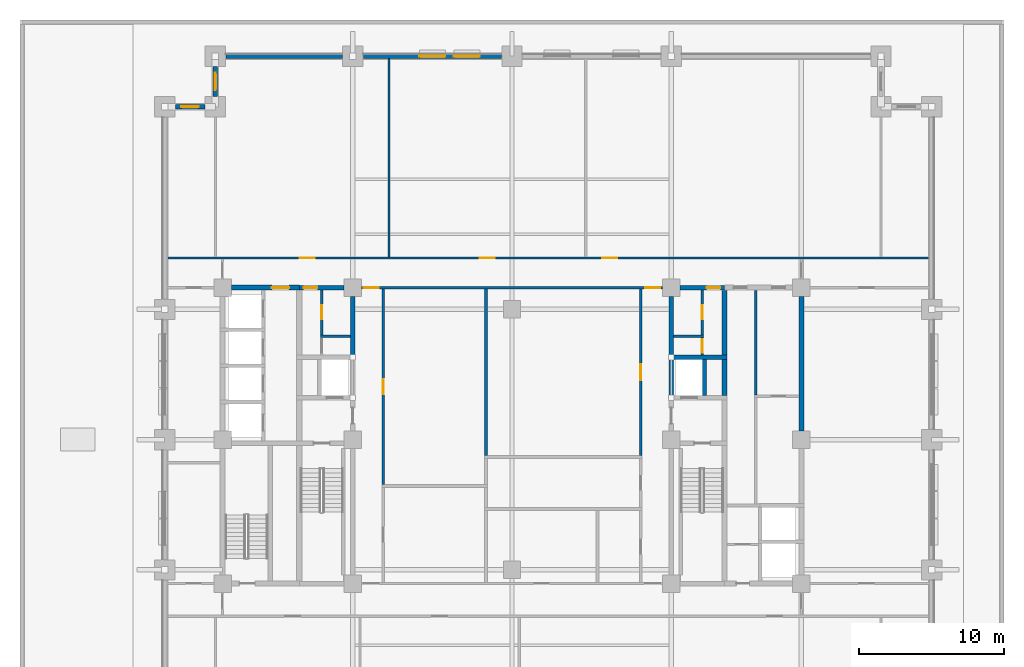
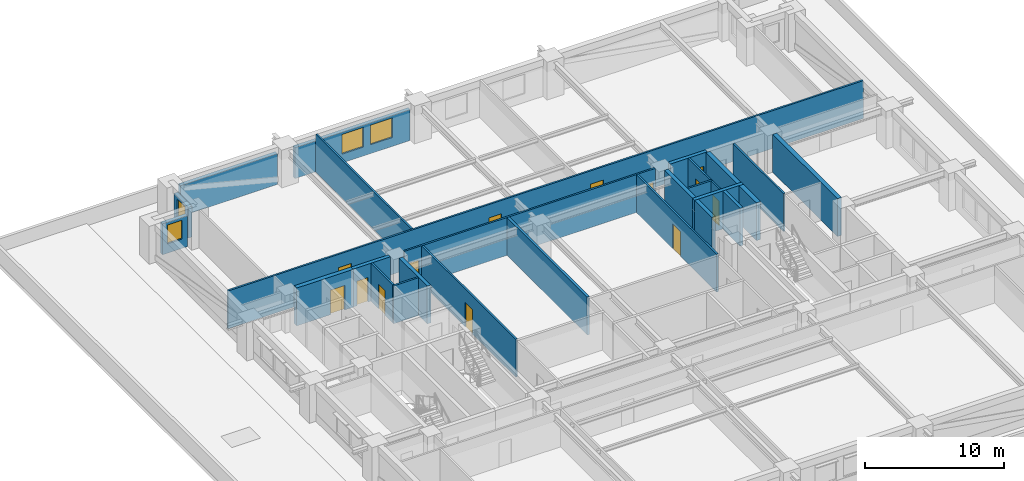
# One storey, part 6 of 12: 27 walls, 13 doors, 4 windows, 17 openings.
"""IFC4 building model written with IfcOpenShell, lengths in metres."""

from ifc_helpers import new_model, si_unit, direction, frame, frame_2d, origin, place, context, subcontext, project, spatial, rectangle, extrude, material, layer, layer_set, type_object, element, fill, save


model = new_model("IFC4")

# Units and contexts
model_context = context("Model", 3, precision=1e-05, world=origin(), true_north=direction((0.0, 1.0)))
body_context = subcontext(model_context, "Body", "Model", "MODEL_VIEW")
ifc_project = project(units=[si_unit("LENGTHUNIT", "METRE"), si_unit("AREAUNIT", "SQUARE_METRE"), si_unit("VOLUMEUNIT", "CUBIC_METRE"), si_unit("PLANEANGLEUNIT", "RADIAN"), si_unit("MASSUNIT", "GRAM", prefix="KILO")], contexts=[model_context])

# Site, building, storey
site_placement = place(None, origin())
site = spatial("IfcSite", under=ifc_project, at=site_placement, CompositionType="ELEMENT")
building_placement = place(site_placement, origin())
building = spatial("IfcBuilding", under=site, at=building_placement, Name="Zulmaris Gate Convention Tower", CompositionType="ELEMENT")
storey_placement = place(building_placement, frame((0.0, 0.0, 27.199951171875)))
storey = spatial("IfcBuildingStorey", under=building, at=storey_placement, Name="L05", CompositionType="ELEMENT", Elevation=27.199951171875)

# Walls
ifc_material_1 = material(Name="Concrete C50/60", Category="concrete")
ifc_layer_1 = layer(ifc_material_1, 0.25, Name="Concrete C50/60")
ifc_layer_set_1 = layer_set([ifc_layer_1], Name="Concrete C50/60")
wall_type_1 = type_object("IfcWallType", Name="CORE-250", PredefinedType="SOLIDWALL", material=ifc_layer_set_1)
wall_1_placement = place(storey_placement, frame((13.300048828125, 3.052001953125, 0.0), z_axis=(0.0, 0.0, 1.0), x_axis=(0.0, 1.0, 0.0)))
element("IfcWall", 1, at=wall_1_placement, inside=storey, type_object=wall_type_1, Name="WL-L05-062", PredefinedType="SOLIDWALL", context=body_context, shape_type="SweptSolid", body=[
    extrude(rectangle(XDim=2.49609375, YDim=0.25, at=frame_2d((1.248046875, 0.0))), origin(), (0.0, 0.0, 1.0), 3.320068359375),
])
ifc_layer_2 = layer(ifc_material_1, 0.300048828125, Name="Concrete C50/60")
ifc_layer_set_2 = layer_set([ifc_layer_2], Name="Concrete C50/60")
wall_type_2 = type_object("IfcWallType", Name="CORE-300", PredefinedType="SHEAR", material=ifc_layer_set_2)
wall_2_placement = place(storey_placement, frame((10.85009765625, 5.699951171875, 0.0), z_axis=(0.0, 0.0, 1.0), x_axis=(1.0, 0.0, 0.0)))
element("IfcWall", 2, at=wall_2_placement, inside=storey, type_object=wall_type_2, Name="WL-L05-014", PredefinedType="SHEAR", context=body_context, shape_type="SweptSolid", body=[
    extrude(rectangle(XDim=4.02490234375, YDim=0.300048828125, at=frame_2d((2.012451171875, 0.0))), origin(), (0.0, 0.0, 1.0), 3.320068359375),
])

# Wall, opening, door
wall_3_placement = place(storey_placement, frame((-14.699951171875, 10.5, 0.0), z_axis=(0.0, 0.0, 1.0), x_axis=(1.0, 0.0, 0.0)))
wall_3 = element("IfcWall", 3, at=wall_3_placement, inside=storey, type_object=wall_type_2, Name="WL-L05-017", PredefinedType="SHEAR", context=body_context, shape_type="SweptSolid", body=[
    extrude(rectangle(XDim=3.095947265625, YDim=0.300048828125, at=frame_2d((1.5478515625, 0.0))), origin(), (0.0, 0.0, 1.0), 3.320068359375),
])
opening_1_placement = place(wall_3_placement, frame((0.304931640625, 0.0, 0.0)))
opening_1 = element("IfcOpeningElement", 4, at=opening_1_placement, cuts=wall_3, Name="Opening D-11", PredefinedType="OPENING", context=body_context, shape_type="SweptSolid", body=[
    extrude(rectangle(XDim=0.949951171875, YDim=2.14990234375, at=frame_2d((0.47509765625, 1.074951171875))), frame((0.0, 0.16015625, 0.0), z_axis=(0.0, -1.0, 0.0), x_axis=(1.0, 0.0, 0.0)), (0.0, 0.0, 1.0), 0.320068359375),
])
ifc_material_2 = material(Name="Fire-Rated Timber", Category="wood")
door_type_1 = type_object("IfcDoorType", Name="DR-950-FD", OperationType="NOTDEFINED", PredefinedType="DOOR", material=ifc_material_2)
door_1_placement = place(opening_1_placement, origin())
door_1 = element("IfcDoor", 5, at=door_1_placement, inside=storey, type_object=door_type_1, Name="L05 Core West Passage Door 07", OperationType="SINGLE_SWING_LEFT", OverallHeight=2.14990234375, OverallWidth=0.949951171875, PredefinedType="DOOR", context=body_context, shape_type="SweptSolid", body=[
    extrude(rectangle(XDim=0.949951171875, YDim=2.14990234375, at=frame_2d((0.47509765625, 1.074951171875))), frame((0.0, 0.02490234375, 0.0), z_axis=(0.0, -1.0, 0.0), x_axis=(1.0, 0.0, 0.0)), (0.0, 0.0, 1.0), 0.050048828125),
])
fill(opening_1, door_1)

wall_4_placement = place(storey_placement, frame((11.60400390625, 10.5, 0.0), z_axis=(0.0, 0.0, 1.0), x_axis=(1.0, 0.0, 0.0)))
wall_4 = element("IfcWall", 6, at=wall_4_placement, inside=storey, type_object=wall_type_2, Name="WL-L05-018", PredefinedType="SHEAR", context=body_context, shape_type="SweptSolid", body=[
    extrude(rectangle(XDim=3.095947265625, YDim=0.300048828125, at=frame_2d((1.5478515625, 0.0))), origin(), (0.0, 0.0, 1.0), 3.320068359375),
])
opening_2_placement = place(wall_4_placement, frame((1.841064453125, 0.0, 0.0)))
opening_2 = element("IfcOpeningElement", 7, at=opening_2_placement, cuts=wall_4, Name="Opening D-11", PredefinedType="OPENING", context=body_context, shape_type="SweptSolid", body=[
    extrude(rectangle(XDim=0.949951171875, YDim=2.14990234375, at=frame_2d((0.47509765625, 1.074951171875))), frame((0.0, 0.16015625, 0.0), z_axis=(0.0, -1.0, 0.0), x_axis=(1.0, 0.0, 0.0)), (0.0, 0.0, 1.0), 0.320068359375),
])
door_2_placement = place(opening_2_placement, origin())
door_2 = element("IfcDoor", 8, at=door_2_placement, inside=storey, type_object=door_type_1, Name="L05 Core East Passage Door 10", OperationType="SINGLE_SWING_RIGHT", OverallHeight=2.14990234375, OverallWidth=0.949951171875, PredefinedType="DOOR", context=body_context, shape_type="SweptSolid", body=[
    extrude(rectangle(XDim=0.949951171875, YDim=2.14990234375, at=frame_2d((0.47509765625, 1.074951171875))), frame((0.0, 0.02490234375, 0.0), z_axis=(0.0, -1.0, 0.0), x_axis=(1.0, 0.0, 0.0)), (0.0, 0.0, 1.0), 0.050048828125),
])
fill(opening_2, door_2)

# Walls
wall_5_placement = place(storey_placement, frame((-11.0, 5.85205078125, 0.0), z_axis=(0.0, 0.0, 1.0), x_axis=(0.0, 1.0, 0.0)))
element("IfcWall", 9, at=wall_5_placement, inside=storey, type_object=wall_type_2, Name="WL-L05-056", PredefinedType="SHEAR", context=body_context, shape_type="SweptSolid", body=[
    extrude(rectangle(XDim=4.0439453125, YDim=0.300048828125, at=frame_2d((2.02197265625, 0.0))), origin(), (0.0, 0.0, 1.0), 3.320068359375),
])
wall_6_placement = place(storey_placement, frame((11.0, 3.052001953125, 0.0), z_axis=(0.0, 0.0, 1.0), x_axis=(0.0, 1.0, 0.0)))
element("IfcWall", 10, at=wall_6_placement, inside=storey, type_object=wall_type_2, Name="WL-L05-059", PredefinedType="SHEAR", context=body_context, shape_type="SweptSolid", body=[
    extrude(rectangle(XDim=2.49609375, YDim=0.300048828125, at=frame_2d((1.248046875, 0.0))), origin(), (0.0, 0.0, 1.0), 3.320068359375),
])
wall_7_placement = place(storey_placement, frame((11.0, 5.85205078125, 0.0), z_axis=(0.0, 0.0, 1.0), x_axis=(0.0, 1.0, 0.0)))
element("IfcWall", 11, at=wall_7_placement, inside=storey, type_object=wall_type_2, Name="WL-L05-060", PredefinedType="SHEAR", context=body_context, shape_type="SweptSolid", body=[
    extrude(rectangle(XDim=4.0439453125, YDim=0.300048828125, at=frame_2d((2.02197265625, 0.0))), origin(), (0.0, 0.0, 1.0), 3.320068359375),
])

# Wall, opening, door
ifc_material_3 = material(Name="Concrete C55/67", Category="concrete")
ifc_layer_3 = layer(ifc_material_3, 0.35009765625, Name="Concrete C55/67")
ifc_layer_set_3 = layer_set([ifc_layer_3], Name="Concrete C55/67")
wall_type_3 = type_object("IfcWallType", Name="CORE-350", PredefinedType="SHEAR", material=ifc_layer_set_3)
wall_8_placement = place(storey_placement, frame((-19.39599609375, 10.5, 0.0), z_axis=(0.0, 0.0, 1.0), x_axis=(1.0, 0.0, 0.0)))
wall_8 = element("IfcWall", 12, at=wall_8_placement, inside=storey, type_object=wall_type_3, Name="WL-L05-016", PredefinedType="SHEAR", context=body_context, shape_type="SweptSolid", body=[
    extrude(rectangle(XDim=4.696044921875, YDim=0.35009765625, at=frame_2d((2.34814453125, 0.0))), origin(), (0.0, 0.0, 1.0), 3.320068359375),
])
opening_3_placement = place(wall_8_placement, frame((2.7958984375, 0.0, 0.0)))
opening_3 = element("IfcOpeningElement", 13, at=opening_3_placement, cuts=wall_8, Name="Opening D-13", PredefinedType="OPENING", context=body_context, shape_type="SweptSolid", body=[
    extrude(rectangle(XDim=1.199951171875, YDim=2.14990234375, at=frame_2d((0.60009765625, 1.074951171875))), frame((0.0, 0.18505859375, 0.0), z_axis=(0.0, -1.0, 0.0), x_axis=(1.0, 0.0, 0.0)), (0.0, 0.0, 1.0), 0.3701171875),
])
ifc_material_4 = material(Name="Fire-Rated Steel", Category="steel")
door_type_2 = type_object("IfcDoorType", Name="DR-1200-FD", OperationType="NOTDEFINED", PredefinedType="DOOR", material=ifc_material_4)
door_3_placement = place(opening_3_placement, origin())
door_3 = element("IfcDoor", 14, at=door_3_placement, inside=storey, type_object=door_type_2, Name="L05 Low-Rise Lift Lobby Door 14", OperationType="SINGLE_SWING_RIGHT", OverallHeight=2.14990234375, OverallWidth=1.199951171875, PredefinedType="DOOR", context=body_context, shape_type="SweptSolid", body=[
    extrude(rectangle(XDim=1.199951171875, YDim=2.14990234375, at=frame_2d((0.60009765625, 1.074951171875))), frame((0.0, 0.02490234375, 0.0), z_axis=(0.0, -1.0, 0.0), x_axis=(1.0, 0.0, 0.0)), (0.0, 0.0, 1.0), 0.050048828125),
])
fill(opening_3, door_3)

# Walls
wall_9_placement = place(storey_placement, frame((14.699951171875, 3.052001953125, 0.0), z_axis=(0.0, 0.0, 1.0), x_axis=(0.0, 1.0, 0.0)))
element("IfcWall", 15, at=wall_9_placement, inside=storey, type_object=wall_type_3, Name="WL-L05-065", PredefinedType="SHEAR", context=body_context, shape_type="SweptSolid", body=[
    extrude(rectangle(XDim=2.49609375, YDim=0.35009765625, at=frame_2d((1.248046875, 0.0))), origin(), (0.0, 0.0, 1.0), 3.320068359375),
])
wall_10_placement = place(storey_placement, frame((14.699951171875, 5.85205078125, 0.0), z_axis=(0.0, 0.0, 1.0), x_axis=(0.0, 1.0, 0.0)))
element("IfcWall", 16, at=wall_10_placement, inside=storey, type_object=wall_type_3, Name="WL-L05-066", PredefinedType="SHEAR", context=body_context, shape_type="SweptSolid", body=[
    extrude(rectangle(XDim=4.470947265625, YDim=0.35009765625, at=frame_2d((2.2353515625, 0.0))), origin(), (0.0, 0.0, 1.0), 3.320068359375),
])
wall_11_placement = place(storey_placement, frame((20.0, 0.60400390625, 0.0), z_axis=(0.0, 0.0, 1.0), x_axis=(0.0, 1.0, 0.0)))
element("IfcWall", 17, at=wall_11_placement, inside=storey, type_object=wall_type_3, Name="WL-L05-071S1", PredefinedType="SHEAR", context=body_context, shape_type="SweptSolid", body=[
    extrude(rectangle(XDim=9.2919921875, YDim=0.35009765625, at=frame_2d((4.64599609375, 0.0))), origin(), (0.0, 0.0, 1.0), 3.320068359375),
])
ifc_material_5 = material(Name="Gypsum Metal Stud Partition")
ifc_layer_4 = layer(ifc_material_5, 0.14990234375, Name="Gypsum Metal Stud Partition")
ifc_layer_set_4 = layer_set([ifc_layer_4], Name="Gypsum Metal Stud Partition")
wall_type_4 = type_object("IfcWallType", Name="PART-150", PredefinedType="PARTITIONING", material=ifc_layer_set_4)
for number, where, z_axis, x_axis, name in (
    (18, (-13.22509765625, 7.14990234375, 0.0), (0.0, 0.0, 1.0), (1.0, 0.0, 0.0), "WL-L05-031"),
    (19, (11.153076171875, 7.14990234375, 0.0), (0.0, 0.0, 1.0), (1.0, 0.0, 0.0), "WL-L05-032"),
):
    element("IfcWall", number, at=place(storey_placement, frame(where, z_axis=z_axis, x_axis=x_axis)), inside=storey, type_object=wall_type_4, Name=name, PredefinedType="PARTITIONING", context=body_context, shape_type="SweptSolid", body=[
        extrude(rectangle(XDim=2.072021484375, YDim=0.14990234375, at=frame_2d((1.0361328125, 0.0))), origin(), (0.0, 0.0, 1.0), 3.320068359375),
    ])

# Wall, openings, doors
wall_12_placement = place(storey_placement, frame((-10.39404296875, 10.5, 0.0), z_axis=(0.0, 0.0, 1.0), x_axis=(1.0, 0.0, 0.0)))
wall_12 = element("IfcWall", 20, at=wall_12_placement, inside=storey, type_object=wall_type_4, Name="WL-L05-034", PredefinedType="PARTITIONING", context=body_context, shape_type="SweptSolid", body=[
    extrude(rectangle(XDim=20.7880859375, YDim=0.14990234375, at=frame_2d((10.39404296875, 0.0))), origin(), (0.0, 0.0, 1.0), 3.320068359375),
])
opening_4_placement = place(wall_12_placement, frame((0.14990234375, 0.0, 0.0)))
opening_4 = element("IfcOpeningElement", 21, at=opening_4_placement, cuts=wall_12, Name="Opening D-09", PredefinedType="OPENING", context=body_context, shape_type="SweptSolid", body=[
    extrude(rectangle(XDim=1.050048828125, YDim=2.14990234375, at=frame_2d((0.52490234375, 1.074951171875))), frame((0.0, 0.0849609375, 0.0), z_axis=(0.0, -1.0, 0.0), x_axis=(1.0, 0.0, 0.0)), (0.0, 0.0, 1.0), 0.169921875),
])
opening_5_placement = place(wall_12_placement, frame((19.587890625, 0.0, 0.0)))
opening_5 = element("IfcOpeningElement", 22, at=opening_5_placement, cuts=wall_12, Name="Opening D-09", PredefinedType="OPENING", context=body_context, shape_type="SweptSolid", body=[
    extrude(rectangle(XDim=1.050048828125, YDim=2.14990234375, at=frame_2d((0.52490234375, 1.074951171875))), frame((0.0, 0.0849609375, 0.0), z_axis=(0.0, -1.0, 0.0), x_axis=(1.0, 0.0, 0.0)), (0.0, 0.0, 1.0), 0.169921875),
])
door_type_3 = type_object("IfcDoorType", Name="DR-1050-FD", OperationType="NOTDEFINED", PredefinedType="DOOR", material=ifc_material_4)
door_4_placement = place(opening_4_placement, origin())
door_4 = element("IfcDoor", 23, at=door_4_placement, inside=storey, type_object=door_type_3, Name="L05 NW Spine Link Door 24", OperationType="SINGLE_SWING_RIGHT", OverallHeight=2.14990234375, OverallWidth=1.050048828125, PredefinedType="DOOR", context=body_context, shape_type="SweptSolid", body=[
    extrude(rectangle(XDim=1.050048828125, YDim=2.14990234375, at=frame_2d((0.52490234375, 1.074951171875))), frame((0.0, 0.02490234375, 0.0), z_axis=(0.0, -1.0, 0.0), x_axis=(1.0, 0.0, 0.0)), (0.0, 0.0, 1.0), 0.050048828125),
])
fill(opening_4, door_4)
door_5_placement = place(opening_5_placement, origin())
door_5 = element("IfcDoor", 24, at=door_5_placement, inside=storey, type_object=door_type_3, Name="L05 NE Spine Link Door 26", OperationType="SINGLE_SWING_RIGHT", OverallHeight=2.14990234375, OverallWidth=1.050048828125, PredefinedType="DOOR", context=body_context, shape_type="SweptSolid", body=[
    extrude(rectangle(XDim=1.050048828125, YDim=2.14990234375, at=frame_2d((0.52490234375, 1.074951171875))), frame((0.0, 0.02490234375, 0.0), z_axis=(0.0, -1.0, 0.0), x_axis=(1.0, 0.0, 0.0)), (0.0, 0.0, 1.0), 0.050048828125),
])
fill(opening_5, door_5)

wall_13_placement = place(storey_placement, frame((-23.8349609375, 12.550048828125, 0.0), z_axis=(0.0, 0.0, 1.0), x_axis=(1.0, 0.0, 0.0)))
wall_13 = element("IfcWall", 25, at=wall_13_placement, inside=storey, type_object=wall_type_4, Name="WL-L05-036", PredefinedType="PARTITIONING", context=body_context, shape_type="SweptSolid", body=[
    extrude(rectangle(XDim=52.669921875, YDim=0.14990234375, at=frame_2d((26.3349609375, 0.0))), origin(), (0.0, 0.0, 1.0), 3.320068359375),
])
opening_6_placement = place(wall_13_placement, frame((9.159912109375, 0.0, 0.0)))
opening_6 = element("IfcOpeningElement", 26, at=opening_6_placement, cuts=wall_13, Name="Opening D-09", PredefinedType="OPENING", context=body_context, shape_type="SweptSolid", body=[
    extrude(rectangle(XDim=1.050048828125, YDim=2.14990234375, at=frame_2d((0.52490234375, 1.074951171875))), frame((0.0, 0.0849609375, 0.0), z_axis=(0.0, -1.0, 0.0), x_axis=(1.0, 0.0, 0.0)), (0.0, 0.0, 1.0), 0.169921875),
])
opening_7_placement = place(wall_13_placement, frame((21.610107421875, 0.0, 0.0)))
opening_7 = element("IfcOpeningElement", 27, at=opening_7_placement, cuts=wall_13, Name="Opening D-09", PredefinedType="OPENING", context=body_context, shape_type="SweptSolid", body=[
    extrude(rectangle(XDim=1.050048828125, YDim=2.14990234375, at=frame_2d((0.52490234375, 1.074951171875))), frame((0.0, 0.0849609375, 0.0), z_axis=(0.0, -1.0, 0.0), x_axis=(1.0, 0.0, 0.0)), (0.0, 0.0, 1.0), 0.169921875),
])
opening_8_placement = place(wall_13_placement, frame((30.06005859375, 0.0, 0.0)))
opening_8 = element("IfcOpeningElement", 28, at=opening_8_placement, cuts=wall_13, Name="Opening D-09", PredefinedType="OPENING", context=body_context, shape_type="SweptSolid", body=[
    extrude(rectangle(XDim=1.050048828125, YDim=2.14990234375, at=frame_2d((0.52490234375, 1.074951171875))), frame((0.0, 0.0849609375, 0.0), z_axis=(0.0, -1.0, 0.0), x_axis=(1.0, 0.0, 0.0)), (0.0, 0.0, 1.0), 0.169921875),
])
door_6_placement = place(opening_6_placement, origin())
door_6 = element("IfcDoor", 29, at=door_6_placement, inside=storey, type_object=door_type_3, Name="L05 Partner Corner Office Door 28", OperationType="SINGLE_SWING_RIGHT", OverallHeight=2.14990234375, OverallWidth=1.050048828125, PredefinedType="DOOR", context=body_context, shape_type="SweptSolid", body=[
    extrude(rectangle(XDim=1.050048828125, YDim=2.14990234375, at=frame_2d((0.52490234375, 1.074951171875))), frame((0.0, 0.02490234375, 0.0), z_axis=(0.0, -1.0, 0.0), x_axis=(1.0, 0.0, 0.0)), (0.0, 0.0, 1.0), 0.050048828125),
])
fill(opening_6, door_6)
door_7_placement = place(opening_7_placement, origin())
door_7 = element("IfcDoor", 30, at=door_7_placement, inside=storey, type_object=door_type_3, Name="L05 Advisory Suite Office Door 29", OperationType="SINGLE_SWING_LEFT", OverallHeight=2.14990234375, OverallWidth=1.050048828125, PredefinedType="DOOR", context=body_context, shape_type="SweptSolid", body=[
    extrude(rectangle(XDim=1.050048828125, YDim=2.14990234375, at=frame_2d((0.52490234375, 1.074951171875))), frame((0.0, 0.02490234375, 0.0), z_axis=(0.0, -1.0, 0.0), x_axis=(1.0, 0.0, 0.0)), (0.0, 0.0, 1.0), 0.050048828125),
])
fill(opening_7, door_7)
door_8_placement = place(opening_8_placement, origin())
door_8 = element("IfcDoor", 31, at=door_8_placement, inside=storey, type_object=door_type_3, Name="L05 Open Plan Workplace Door 30", OperationType="SINGLE_SWING_RIGHT", OverallHeight=2.14990234375, OverallWidth=1.050048828125, PredefinedType="DOOR", context=body_context, shape_type="SweptSolid", body=[
    extrude(rectangle(XDim=1.050048828125, YDim=2.14990234375, at=frame_2d((0.52490234375, 1.074951171875))), frame((0.0, 0.02490234375, 0.0), z_axis=(0.0, -1.0, 0.0), x_axis=(1.0, 0.0, 0.0)), (0.0, 0.0, 1.0), 0.050048828125),
])
fill(opening_8, door_8)

# Wall, opening, door
wall_14_placement = place(storey_placement, frame((-13.14990234375, 7.22802734375, 0.0), z_axis=(0.0, 0.0, 1.0), x_axis=(0.0, 1.0, 0.0)))
wall_14 = element("IfcWall", 32, at=wall_14_placement, inside=storey, type_object=wall_type_4, Name="WL-L05-077", PredefinedType="PARTITIONING", context=body_context, shape_type="SweptSolid", body=[
    extrude(rectangle(XDim=3.118896484375, YDim=0.14990234375, at=frame_2d((1.5595703125, 0.0))), origin(), (0.0, 0.0, 1.0), 3.320068359375),
])
opening_9_placement = place(wall_14_placement, frame((1.096923828125, 0.0, 0.0)))
opening_9 = element("IfcOpeningElement", 33, at=opening_9_placement, cuts=wall_14, Name="Opening D-11", PredefinedType="OPENING", context=body_context, shape_type="SweptSolid", body=[
    extrude(rectangle(XDim=0.949951171875, YDim=2.14990234375, at=frame_2d((0.47509765625, 1.074951171875))), frame((0.0, 0.0849609375, 0.0), z_axis=(0.0, -1.0, 0.0), x_axis=(1.0, 0.0, 0.0)), (0.0, 0.0, 1.0), 0.169921875),
])
door_9_placement = place(opening_9_placement, origin())
door_9 = element("IfcDoor", 34, at=door_9_placement, inside=storey, type_object=door_type_1, Name="L05 Meter Closet Door 09", OperationType="SINGLE_SWING_LEFT", OverallHeight=2.14990234375, OverallWidth=0.949951171875, PredefinedType="DOOR", context=body_context, shape_type="SweptSolid", body=[
    extrude(rectangle(XDim=0.949951171875, YDim=2.14990234375, at=frame_2d((0.47509765625, 1.074951171875))), frame((0.0, 0.02490234375, 0.0), z_axis=(0.0, -1.0, 0.0), x_axis=(1.0, 0.0, 0.0)), (0.0, 0.0, 1.0), 0.050048828125),
])
fill(opening_9, door_9)

wall_15_placement = place(storey_placement, frame((-8.89990234375, -3.096923828125, 0.0), z_axis=(0.0, 0.0, 1.0), x_axis=(0.0, 1.0, 0.0)))
wall_15 = element("IfcWall", 35, at=wall_15_placement, inside=storey, type_object=wall_type_4, Name="WL-L05-080", PredefinedType="PARTITIONING", context=body_context, shape_type="SweptSolid", body=[
    extrude(rectangle(XDim=13.51904296875, YDim=0.14990234375, at=frame_2d((6.759521484375, 0.0))), origin(), (0.0, 0.0, 1.0), 3.320068359375),
])
opening_10_placement = place(wall_15_placement, frame((6.221923828125, 0.0, 0.0)))
opening_10 = element("IfcOpeningElement", 36, at=opening_10_placement, cuts=wall_15, Name="Opening D-09", PredefinedType="OPENING", context=body_context, shape_type="SweptSolid", body=[
    extrude(rectangle(XDim=1.050048828125, YDim=2.14990234375, at=frame_2d((0.52490234375, 1.074951171875))), frame((0.0, 0.0849609375, 0.0), z_axis=(0.0, -1.0, 0.0), x_axis=(1.0, 0.0, 0.0)), (0.0, 0.0, 1.0), 0.169921875),
])
door_10_placement = place(opening_10_placement, origin())
door_10 = element("IfcDoor", 37, at=door_10_placement, inside=storey, type_object=door_type_3, Name="L05 Boardroom Door 34", OperationType="SINGLE_SWING_RIGHT", OverallHeight=2.14990234375, OverallWidth=1.050048828125, PredefinedType="DOOR", context=body_context, shape_type="SweptSolid", body=[
    extrude(rectangle(XDim=1.050048828125, YDim=2.14990234375, at=frame_2d((0.52490234375, 1.074951171875))), frame((0.0, 0.02490234375, 0.0), z_axis=(0.0, -1.0, 0.0), x_axis=(1.0, 0.0, 0.0)), (0.0, 0.0, 1.0), 0.050048828125),
])
fill(opening_10, door_10)

# Wall
wall_16_placement = place(storey_placement, frame((-8.5, 12.6279296875, 0.0), z_axis=(0.0, 0.0, 1.0), x_axis=(0.0, 1.0, 0.0)))
element("IfcWall", 38, at=wall_16_placement, inside=storey, type_object=wall_type_4, Name="WL-L05-081", PredefinedType="PARTITIONING", context=body_context, shape_type="SweptSolid", body=[
    extrude(rectangle(XDim=13.70703125, YDim=0.14990234375, at=frame_2d((6.853515625, 0.0))), origin(), (0.0, 0.0, 1.0), 3.320068359375),
])

# Wall, opening, door
wall_17_placement = place(storey_placement, frame((8.89990234375, -1.096923828125, 0.0), z_axis=(0.0, 0.0, 1.0), x_axis=(0.0, 1.0, 0.0)))
wall_17 = element("IfcWall", 39, at=wall_17_placement, inside=storey, type_object=wall_type_4, Name="WL-L05-091", PredefinedType="PARTITIONING", context=body_context, shape_type="SweptSolid", body=[
    extrude(rectangle(XDim=11.51904296875, YDim=0.14990234375, at=frame_2d((5.759521484375, 0.0))), origin(), (0.0, 0.0, 1.0), 3.320068359375),
])
opening_11_placement = place(wall_17_placement, frame((5.197021484375, 0.0, 0.0)))
opening_11 = element("IfcOpeningElement", 40, at=opening_11_placement, cuts=wall_17, Name="Opening D-08", PredefinedType="OPENING", context=body_context, shape_type="SweptSolid", body=[
    extrude(rectangle(XDim=1.10009765625, YDim=2.14990234375, at=frame_2d((0.550048828125, 1.074951171875))), frame((0.0, 0.0849609375, 0.0), z_axis=(0.0, -1.0, 0.0), x_axis=(1.0, 0.0, 0.0)), (0.0, 0.0, 1.0), 0.169921875),
])
door_type_4 = type_object("IfcDoorType", Name="DR-1100-FD", OperationType="NOTDEFINED", PredefinedType="DOOR", material=ifc_material_4)
door_11_placement = place(opening_11_placement, origin())
door_11 = element("IfcDoor", 41, at=door_11_placement, inside=storey, type_object=door_type_4, Name="L05 Seminar Forum Door 36", OperationType="SINGLE_SWING_RIGHT", OverallHeight=2.14990234375, OverallWidth=1.10009765625, PredefinedType="DOOR", context=body_context, shape_type="SweptSolid", body=[
    extrude(rectangle(XDim=1.10009765625, YDim=2.14990234375, at=frame_2d((0.550048828125, 1.074951171875))), frame((0.0, 0.02490234375, 0.0), z_axis=(0.0, -1.0, 0.0), x_axis=(1.0, 0.0, 0.0)), (0.0, 0.0, 1.0), 0.050048828125),
])
fill(opening_11, door_11)

wall_18_placement = place(storey_placement, frame((13.14990234375, 5.85302734375, 0.0), z_axis=(0.0, 0.0, 1.0), x_axis=(0.0, 1.0, 0.0)))
wall_18 = element("IfcWall", 42, at=wall_18_placement, inside=storey, type_object=wall_type_4, Name="WL-L05-092", PredefinedType="PARTITIONING", context=body_context, shape_type="SweptSolid", body=[
    extrude(rectangle(XDim=1.218994140625, YDim=0.14990234375, at=frame_2d((0.609375, 0.0))), origin(), (0.0, 0.0, 1.0), 3.320068359375),
])
opening_12_placement = place(wall_18_placement, frame((0.1689453125, 0.0, 0.0)))
opening_12 = element("IfcOpeningElement", 43, at=opening_12_placement, cuts=wall_18, Name="Opening D-12", PredefinedType="OPENING", context=body_context, shape_type="SweptSolid", body=[
    extrude(rectangle(XDim=0.89990234375, YDim=2.14990234375, at=frame_2d((0.449951171875, 1.074951171875))), frame((0.0, 0.0849609375, 0.0), z_axis=(0.0, -1.0, 0.0), x_axis=(1.0, 0.0, 0.0)), (0.0, 0.0, 1.0), 0.169921875),
])
door_type_5 = type_object("IfcDoorType", Name="DR-900-FD", OperationType="NOTDEFINED", PredefinedType="DOOR", material=ifc_material_2)
door_12_placement = place(opening_12_placement, origin())
door_12 = element("IfcDoor", 44, at=door_12_placement, inside=storey, type_object=door_type_5, Name="L05 Core Staff WC Door 11", OperationType="SINGLE_SWING_LEFT", OverallHeight=2.14990234375, OverallWidth=0.89990234375, PredefinedType="DOOR", context=body_context, shape_type="SweptSolid", body=[
    extrude(rectangle(XDim=0.89990234375, YDim=2.14990234375, at=frame_2d((0.449951171875, 1.074951171875))), frame((0.0, 0.02490234375, 0.0), z_axis=(0.0, -1.0, 0.0), x_axis=(1.0, 0.0, 0.0)), (0.0, 0.0, 1.0), 0.050048828125),
])
fill(opening_12, door_12)

wall_19_placement = place(storey_placement, frame((13.14990234375, 7.22802734375, 0.0), z_axis=(0.0, 0.0, 1.0), x_axis=(0.0, 1.0, 0.0)))
wall_19 = element("IfcWall", 45, at=wall_19_placement, inside=storey, type_object=wall_type_4, Name="WL-L05-093", PredefinedType="PARTITIONING", context=body_context, shape_type="SweptSolid", body=[
    extrude(rectangle(XDim=3.118896484375, YDim=0.14990234375, at=frame_2d((1.5595703125, 0.0))), origin(), (0.0, 0.0, 1.0), 3.320068359375),
])
opening_13_placement = place(wall_19_placement, frame((1.096923828125, 0.0, 0.0)))
opening_13 = element("IfcOpeningElement", 46, at=opening_13_placement, cuts=wall_19, Name="Opening D-11", PredefinedType="OPENING", context=body_context, shape_type="SweptSolid", body=[
    extrude(rectangle(XDim=0.949951171875, YDim=2.14990234375, at=frame_2d((0.47509765625, 1.074951171875))), frame((0.0, 0.0849609375, 0.0), z_axis=(0.0, -1.0, 0.0), x_axis=(1.0, 0.0, 0.0)), (0.0, 0.0, 1.0), 0.169921875),
])
door_13_placement = place(opening_13_placement, origin())
door_13 = element("IfcDoor", 47, at=door_13_placement, inside=storey, type_object=door_type_1, Name="L05 Core Hygiene Store Door 12", OperationType="SINGLE_SWING_RIGHT", OverallHeight=2.14990234375, OverallWidth=0.949951171875, PredefinedType="DOOR", context=body_context, shape_type="SweptSolid", body=[
    extrude(rectangle(XDim=0.949951171875, YDim=2.14990234375, at=frame_2d((0.47509765625, 1.074951171875))), frame((0.0, 0.02490234375, 0.0), z_axis=(0.0, -1.0, 0.0), x_axis=(1.0, 0.0, 0.0)), (0.0, 0.0, 1.0), 0.050048828125),
])
fill(opening_13, door_13)

# Walls
wall_20_placement = place(storey_placement, frame((16.85009765625, 3.077880859375, 0.0), z_axis=(0.0, 0.0, 1.0), x_axis=(0.0, 1.0, 0.0)))
element("IfcWall", 48, at=wall_20_placement, inside=storey, type_object=wall_type_4, Name="WL-L05-095", PredefinedType="PARTITIONING", context=body_context, shape_type="SweptSolid", body=[
    extrude(rectangle(XDim=7.244140625, YDim=0.14990234375, at=frame_2d((3.6220703125, 0.0))), origin(), (0.0, 0.0, 1.0), 3.320068359375),
])
ifc_material_6 = material(Name="Autoclaved Aerated Concrete Block and Plasterboard", Category="concrete")
ifc_layer_5 = layer(ifc_material_6, 0.199951171875, Name="Autoclaved Aerated Concrete Block and Plasterboard")
ifc_layer_set_5 = layer_set([ifc_layer_5], Name="Autoclaved Aerated Concrete Block and Plasterboard")
wall_type_5 = type_object("IfcWallType", Name="PART-200", PredefinedType="PARTITIONING", material=ifc_layer_set_5)
wall_21_placement = place(storey_placement, frame((-1.800048828125, -1.096923828125, 0.0), z_axis=(0.0, 0.0, 1.0), x_axis=(0.0, 1.0, 0.0)))
element("IfcWall", 49, at=wall_21_placement, inside=storey, type_object=wall_type_5, Name="WL-L05-085", PredefinedType="PARTITIONING", context=body_context, shape_type="SweptSolid", body=[
    extrude(rectangle(XDim=11.51904296875, YDim=0.199951171875, at=frame_2d((5.759521484375, 0.0))), origin(), (0.0, 0.0, 1.0), 3.320068359375),
])

# Wall, opening, window
ifc_material_7 = material(Name="Precast concrete C40/50", Category="concrete")
ifc_layer_6 = layer(ifc_material_7, 0.300048828125, Name="Precast concrete C40/50")
ifc_layer_set_6 = layer_set([ifc_layer_6], Name="Precast concrete C40/50")
wall_type_6 = type_object("IfcWallType", Name="PRECAST-PIER-300", PredefinedType="STANDARD", material=ifc_layer_set_6)
wall_22_placement = place(storey_placement, frame((-20.5, 25.77001953125, 0.0), z_axis=(0.0, 0.0, 1.0), x_axis=(0.0, -1.0, 0.0)))
wall_22 = element("IfcWall", 50, at=wall_22_placement, inside=storey, type_object=wall_type_6, Name="EW-L05-NOTCH-NW1_0", PredefinedType="STANDARD", context=body_context, shape_type="SweptSolid", body=[
    extrude(rectangle(XDim=2.0400390625, YDim=0.300048828125, at=frame_2d((1.02001953125, 0.0))), origin(), (0.0, 0.0, 1.0), 2.712158203125),
])
opening_14_placement = place(wall_22_placement, frame((0.419921875, 0.0, 0.820068359375)))
opening_14 = element("IfcOpeningElement", 51, at=opening_14_placement, cuts=wall_22, Name="Opening W-04", PredefinedType="OPENING", context=body_context, shape_type="SweptSolid", body=[
    extrude(rectangle(XDim=1.199951171875, YDim=1.64990234375, at=frame_2d((0.60009765625, 0.824951171875))), frame((0.0, 0.16015625, 0.0), z_axis=(0.0, -1.0, 0.0), x_axis=(1.0, 0.0, 0.0)), (0.0, 0.0, 1.0), 0.320068359375),
])
ifc_material_8 = material(Name="Low-E Laminated Double Glazing in Aluminium Frame", Category="aluminium")
window_type_1 = type_object("IfcWindowType", Name="WIN-1200x2100", PartitioningType="SINGLE_PANEL", PredefinedType="WINDOW", material=ifc_material_8)
window_1_placement = place(opening_14_placement, origin())
window_1 = element("IfcWindow", 52, at=window_1_placement, inside=storey, type_object=window_type_1, Name="WN-EW-L05-NOTCH-NW1_0", OverallHeight=1.64990234375, OverallWidth=1.199951171875, PartitioningType="SINGLE_PANEL", PredefinedType="WINDOW", context=body_context, shape_type="SweptSolid", body=[
    extrude(rectangle(XDim=1.199951171875, YDim=1.64990234375, at=frame_2d((0.60009765625, 0.824951171875))), frame((0.0, 0.030029296875, 0.0), z_axis=(0.0, -1.0, 0.0), x_axis=(1.0, 0.0, 0.0)), (0.0, 0.0, 1.0), 0.06005859375),
])
fill(opening_14, window_1)

wall_23_placement = place(storey_placement, frame((-21.22998046875, 23.0, 0.0), z_axis=(0.0, 0.0, 1.0), x_axis=(-1.0, 0.0, 0.0)))
wall_23 = element("IfcWall", 53, at=wall_23_placement, inside=storey, type_object=wall_type_6, Name="EW-L05-NOTCH-NW2_0", PredefinedType="STANDARD", context=body_context, shape_type="SweptSolid", body=[
    extrude(rectangle(XDim=2.0400390625, YDim=0.300048828125, at=frame_2d((1.02001953125, 0.0))), origin(), (0.0, 0.0, 1.0), 2.712158203125),
])
opening_15_placement = place(wall_23_placement, frame((0.419921875, 0.0, 0.820068359375)))
opening_15 = element("IfcOpeningElement", 54, at=opening_15_placement, cuts=wall_23, Name="Opening W-04", PredefinedType="OPENING", context=body_context, shape_type="SweptSolid", body=[
    extrude(rectangle(XDim=1.199951171875, YDim=1.64990234375, at=frame_2d((0.60009765625, 0.824951171875))), frame((0.0, 0.16015625, 0.0), z_axis=(0.0, -1.0, 0.0), x_axis=(1.0, 0.0, 0.0)), (0.0, 0.0, 1.0), 0.320068359375),
])
window_2_placement = place(opening_15_placement, origin())
window_2 = element("IfcWindow", 55, at=window_2_placement, inside=storey, type_object=window_type_1, Name="WN-EW-L05-NOTCH-NW2_0", OverallHeight=1.64990234375, OverallWidth=1.199951171875, PartitioningType="SINGLE_PANEL", PredefinedType="WINDOW", context=body_context, shape_type="SweptSolid", body=[
    extrude(rectangle(XDim=1.199951171875, YDim=1.64990234375, at=frame_2d((0.60009765625, 0.824951171875))), frame((0.0, 0.030029296875, 0.0), z_axis=(0.0, -1.0, 0.0), x_axis=(1.0, 0.0, 0.0)), (0.0, 0.0, 1.0), 0.06005859375),
])
fill(opening_15, window_2)

# Wall
wall_24_placement = place(storey_placement, frame((-11.72998046875, 26.5, 0.0), z_axis=(0.0, 0.0, 1.0), x_axis=(-1.0, 0.0, 0.0)))
element("IfcWall", 56, at=wall_24_placement, inside=storey, type_object=wall_type_6, Name="EW-L05-N-0_0", PredefinedType="STANDARD", context=body_context, shape_type="SweptSolid", body=[
    extrude(rectangle(XDim=8.0400390625, YDim=0.300048828125, at=frame_2d((4.02001953125, 0.0))), origin(), (0.0, 0.0, 1.0), 2.712158203125),
])

# Wall, openings, windows
wall_25_placement = place(storey_placement, frame((-0.72998046875, 26.5, 0.0), z_axis=(0.0, 0.0, 1.0), x_axis=(-1.0, 0.0, 0.0)))
wall_25 = element("IfcWall", 57, at=wall_25_placement, inside=storey, type_object=wall_type_6, Name="EW-L05-N-1_0", PredefinedType="STANDARD", context=body_context, shape_type="SweptSolid", body=[
    extrude(rectangle(XDim=9.5400390625, YDim=0.300048828125, at=frame_2d((4.77001953125, 0.0))), origin(), (0.0, 0.0, 1.0), 2.712158203125),
])
opening_16_placement = place(wall_25_placement, frame((1.485107421875, 0.0, 0.780029296875)))
opening_16 = element("IfcOpeningElement", 58, at=opening_16_placement, cuts=wall_25, Name="Opening W-02", PredefinedType="OPENING", context=body_context, shape_type="SweptSolid", body=[
    extrude(rectangle(XDim=1.800048828125, YDim=1.719970703125, at=frame_2d((0.89990234375, 0.85986328125))), frame((0.0, 0.16015625, 0.0), z_axis=(0.0, -1.0, 0.0), x_axis=(1.0, 0.0, 0.0)), (0.0, 0.0, 1.0), 0.320068359375),
])
opening_17_placement = place(wall_25_placement, frame((3.8701171875, 0.0, 0.780029296875)))
opening_17 = element("IfcOpeningElement", 59, at=opening_17_placement, cuts=wall_25, Name="Opening W-02", PredefinedType="OPENING", context=body_context, shape_type="SweptSolid", body=[
    extrude(rectangle(XDim=1.800048828125, YDim=1.719970703125, at=frame_2d((0.89990234375, 0.85986328125))), frame((0.0, 0.16015625, 0.0), z_axis=(0.0, -1.0, 0.0), x_axis=(1.0, 0.0, 0.0)), (0.0, 0.0, 1.0), 0.320068359375),
])
window_type_2 = type_object("IfcWindowType", Name="WIN-1800x2200", PartitioningType="SINGLE_PANEL", PredefinedType="WINDOW", material=ifc_material_8)
window_3_placement = place(opening_16_placement, origin())
window_3 = element("IfcWindow", 60, at=window_3_placement, inside=storey, type_object=window_type_2, Name="WN-EW-L05-N-1_0-1", OverallHeight=1.719970703125, OverallWidth=1.800048828125, PartitioningType="SINGLE_PANEL", PredefinedType="WINDOW", context=body_context, shape_type="SweptSolid", body=[
    extrude(rectangle(XDim=1.800048828125, YDim=1.719970703125, at=frame_2d((0.89990234375, 0.85986328125))), frame((0.0, 0.030029296875, 0.0), z_axis=(0.0, -1.0, 0.0), x_axis=(1.0, 0.0, 0.0)), (0.0, 0.0, 1.0), 0.06005859375),
])
fill(opening_16, window_3)
window_4_placement = place(opening_17_placement, origin())
window_4 = element("IfcWindow", 61, at=window_4_placement, inside=storey, type_object=window_type_2, Name="WN-EW-L05-N-1_0-2", OverallHeight=1.719970703125, OverallWidth=1.800048828125, PartitioningType="SINGLE_PANEL", PredefinedType="WINDOW", context=body_context, shape_type="SweptSolid", body=[
    extrude(rectangle(XDim=1.800048828125, YDim=1.719970703125, at=frame_2d((0.89990234375, 0.85986328125))), frame((0.0, 0.030029296875, 0.0), z_axis=(0.0, -1.0, 0.0), x_axis=(1.0, 0.0, 0.0)), (0.0, 0.0, 1.0), 0.06005859375),
])
fill(opening_17, window_4)

save(model, "model.ifc")
